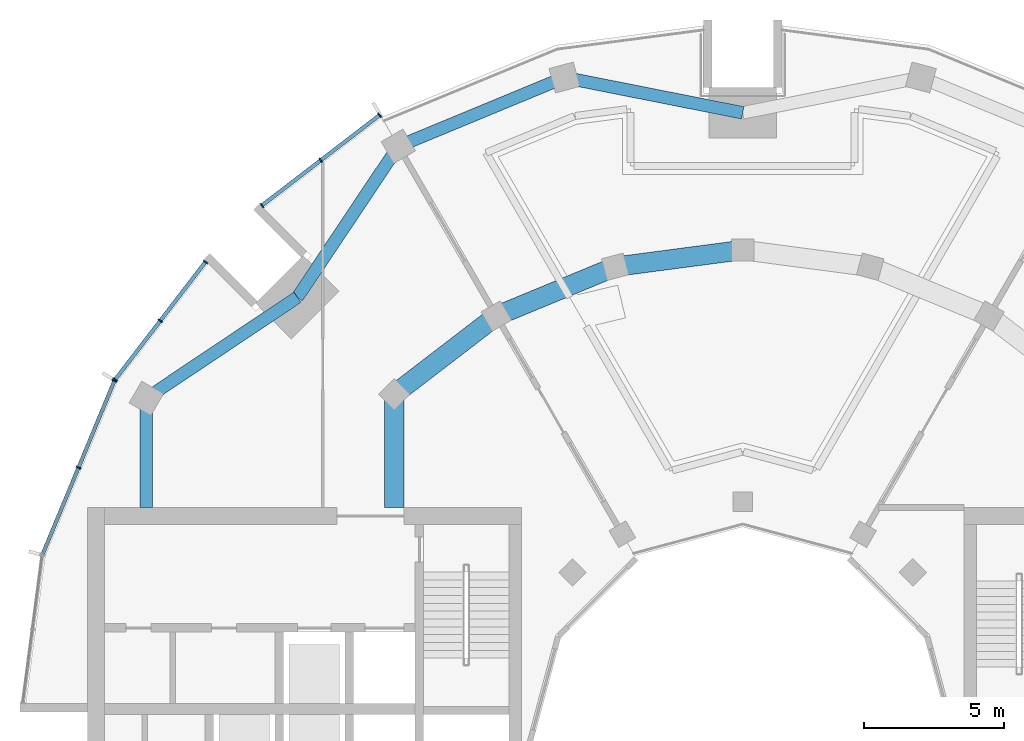
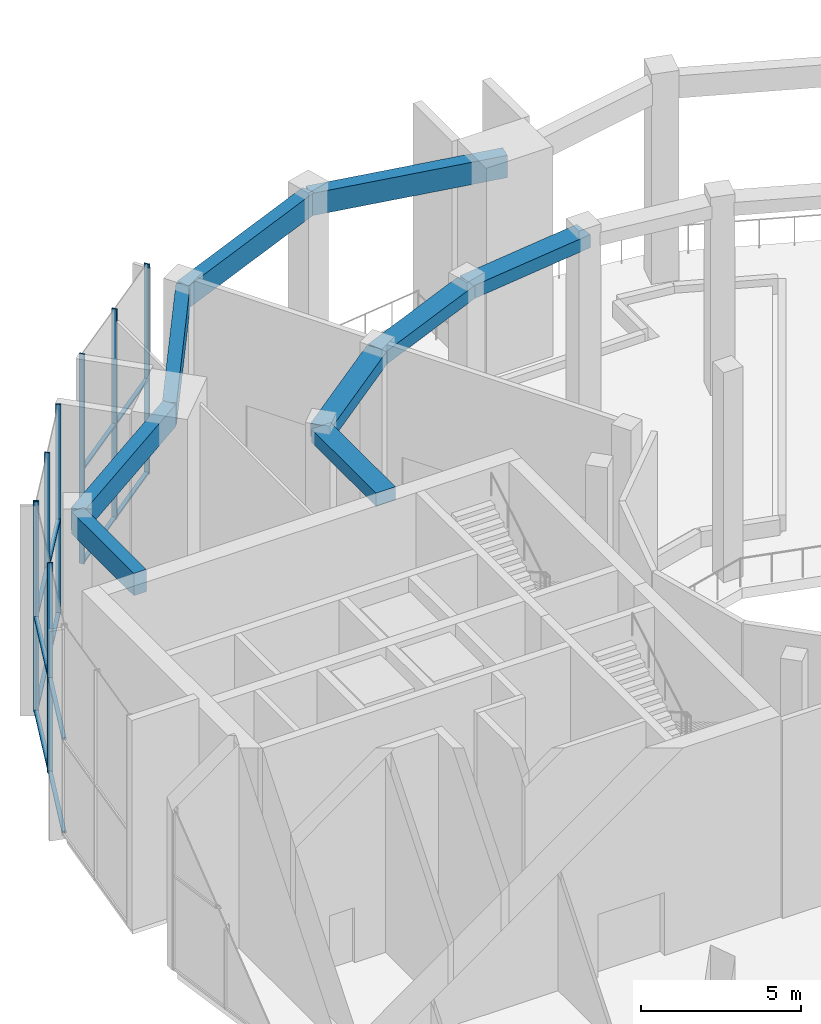
# One storey, part 7 of 18: 20 members, 9 beams, 3 elements without a shape of their own.
"""IFC4 building model written with IfcOpenShell, lengths in metres."""

from ifc_helpers import new_model, si_unit, direction, frame, origin, origin_2d, place, context, subcontext, project, spatial, rectangle, extrude, material, layer, layer_set, material_profile, profile_set, type_object, element, aggregate, save


model = new_model("IFC4")

# Units and contexts
model_context = context("Model", 3, precision=1e-05, world=origin(), true_north=direction((0.0, 1.0)))
body_context = subcontext(model_context, "Body", "Model", "MODEL_VIEW")
ifc_project = project(units=[si_unit("LENGTHUNIT", "METRE"), si_unit("AREAUNIT", "SQUARE_METRE"), si_unit("VOLUMEUNIT", "CUBIC_METRE"), si_unit("PLANEANGLEUNIT", "RADIAN"), si_unit("MASSUNIT", "GRAM", prefix="KILO")], contexts=[model_context])

# Site, building, storey
site_placement = place(None, origin())
site = spatial("IfcSite", under=ifc_project, at=site_placement, CompositionType="ELEMENT")
building_placement = place(site_placement, origin())
building = spatial("IfcBuilding", under=site, at=building_placement, Name="Torre Brocal", CompositionType="ELEMENT")
storey_placement = place(building_placement, frame((0.0, 0.0, 229.300048828125)))
storey = spatial("IfcBuildingStorey", under=building, at=storey_placement, Name="L53", CompositionType="ELEMENT", Elevation=229.300048828125)

# Curtain wall, members
ifc_material_1 = material(Name="Aluminium and glass", Category="aluminium")
ifc_layer = layer(ifc_material_1, 0.199951171875)
ifc_layer_set = layer_set([ifc_layer], Name="Aluminium and glass")
curtain_wall_type = type_object("IfcCurtainWallType", Name="CW-4 CURTAIN WALL 8000 HIGH", PredefinedType="NOTDEFINED", material=ifc_layer_set)
curtain_wall_1_placement = place(storey_placement, origin())
curtain_wall_1 = element("IfcCurtainWall", 1, at=curtain_wall_1_placement, inside=storey, type_object=curtain_wall_type, Name="CW-4 RUN 9", PredefinedType="NOTDEFINED")
ifc_material_2 = material(Name="Aluminium, dark anodised", Category="aluminium")
ifc_material_profile_1 = material_profile(ifc_material_2, rectangle(XDim=0.179931640625, YDim=0.050048828125, at=origin_2d()), Name="CW-4 MULLION 50X180")
ifc_profile_set_1 = profile_set([ifc_material_profile_1], Name="Aluminium, dark anodised")
member_type_1 = type_object("IfcMemberType", Name="CW-4 MULLION 50X180", PredefinedType="MULLION", material=ifc_profile_set_1)
member_1_placement = place(storey_placement, frame((67.030517578125, 97.4140625, 0.0), z_axis=(0.0, 0.0, 1.0), x_axis=(0.60876142905, -0.793353340259, 0.0)))
member_1 = element("IfcMember", 2, at=member_1_placement, type_object=member_type_1, Name="CW4-1 mullion 1", PredefinedType="MULLION", context=body_context, shape_type="SweptSolid", body=[
    extrude(rectangle(XDim=0.179931640625, YDim=0.050048828125, at=origin_2d()), origin(), (0.0, 0.0, 1.0), 8.0),
])
member_2_placement = place(storey_placement, frame((64.9287109375, 95.80126953125, 0.0), z_axis=(0.0, 0.0, 1.0), x_axis=(0.60876142905, -0.793353340259, 0.0)))
member_2 = element("IfcMember", 3, at=member_2_placement, type_object=member_type_1, Name="CW4-1 mullion 2", PredefinedType="MULLION", context=body_context, shape_type="SweptSolid", body=[
    extrude(rectangle(XDim=0.179931640625, YDim=0.050048828125, at=origin_2d()), origin(), (0.0, 0.0, 1.0), 8.0),
])
member_3_placement = place(storey_placement, frame((62.82666015625, 94.188232421875, 0.0), z_axis=(0.0, 0.0, 1.0), x_axis=(0.60876142905, -0.793353340259, 0.0)))
member_3 = element("IfcMember", 4, at=member_3_placement, type_object=member_type_1, Name="CW4-1 mullion 3", PredefinedType="MULLION", context=body_context, shape_type="SweptSolid", body=[
    extrude(rectangle(XDim=0.179931640625, YDim=0.050048828125, at=origin_2d()), origin(), (0.0, 0.0, 1.0), 8.0),
])

curtain_wall_2_placement = place(storey_placement, origin())
curtain_wall_2 = element("IfcCurtainWall", 5, at=curtain_wall_2_placement, inside=storey, type_object=curtain_wall_type, Name="CW-4 RUN 10", PredefinedType="NOTDEFINED")
member_4_placement = place(storey_placement, frame((60.811767578125, 92.17333984375, 0.0), z_axis=(0.0, 0.0, 1.0), x_axis=(0.793353340259, -0.60876142905, 0.0)))
member_4 = element("IfcMember", 6, at=member_4_placement, type_object=member_type_1, Name="CW4-1 mullion 1", PredefinedType="MULLION", context=body_context, shape_type="SweptSolid", body=[
    extrude(rectangle(XDim=0.179931640625, YDim=0.050048828125, at=origin_2d()), origin(), (0.0, 0.0, 1.0), 8.0),
])
member_5_placement = place(storey_placement, frame((59.19873046875, 90.0712890625, 0.0), z_axis=(0.0, 0.0, 1.0), x_axis=(0.793353340259, -0.60876142905, 0.0)))
member_5 = element("IfcMember", 7, at=member_5_placement, type_object=member_type_1, Name="CW4-1 mullion 2", PredefinedType="MULLION", context=body_context, shape_type="SweptSolid", body=[
    extrude(rectangle(XDim=0.179931640625, YDim=0.050048828125, at=origin_2d()), origin(), (0.0, 0.0, 1.0), 8.0),
])
member_6_placement = place(storey_placement, frame((57.5859375, 87.969482421875, 0.0), z_axis=(0.0, 0.0, 1.0), x_axis=(0.793353340259, -0.60876142905, 0.0)))
member_6 = element("IfcMember", 8, at=member_6_placement, type_object=member_type_1, Name="CW4-1 mullion 3", PredefinedType="MULLION", context=body_context, shape_type="SweptSolid", body=[
    extrude(rectangle(XDim=0.179931640625, YDim=0.050048828125, at=origin_2d()), origin(), (0.0, 0.0, 1.0), 8.0),
])

curtain_wall_3_placement = place(storey_placement, origin())
curtain_wall_3 = element("IfcCurtainWall", 9, at=curtain_wall_3_placement, inside=storey, type_object=curtain_wall_type, Name="CW-4 RUN 11", PredefinedType="NOTDEFINED")
member_7_placement = place(storey_placement, frame((57.56103515625, 87.926513671875, 0.0), z_axis=(0.0, 0.0, 1.0), x_axis=(0.923879532525, -0.382683432333, 0.0)))
member_7 = element("IfcMember", 10, at=member_7_placement, type_object=member_type_1, Name="CW4-1 mullion 1", PredefinedType="MULLION", context=body_context, shape_type="SweptSolid", body=[
    extrude(rectangle(XDim=0.179931640625, YDim=0.050048828125, at=origin_2d()), origin(), (0.0, 0.0, 1.0), 8.0),
])
member_8_placement = place(storey_placement, frame((56.277099609375, 84.826416015625, 0.0), z_axis=(0.0, 0.0, 1.0), x_axis=(0.923879532525, -0.382683432333, 0.0)))
member_8 = element("IfcMember", 11, at=member_8_placement, type_object=member_type_1, Name="CW4-1 mullion 2", PredefinedType="MULLION", context=body_context, shape_type="SweptSolid", body=[
    extrude(rectangle(XDim=0.179931640625, YDim=0.050048828125, at=origin_2d()), origin(), (0.0, 0.0, 1.0), 8.0),
])

# Member
ifc_material_3 = material(Name="Aluminium, dark anodised", Category="aluminium")
ifc_material_profile_2 = material_profile(ifc_material_3, rectangle(XDim=0.139892578125, YDim=0.070068359375, at=origin_2d()), Name="CW-4 TRANSOM 140X70")
ifc_profile_set_2 = profile_set([ifc_material_profile_2], Name="Aluminium, dark anodised")
member_type_2 = type_object("IfcMemberType", Name="CW-4 TRANSOM 140X70", PredefinedType="USERDEFINED", material=ifc_profile_set_2)
member_9_placement = place(storey_placement, frame((67.0107421875, 97.39892578125, 0.034912109375), z_axis=(-0.793335698171, -0.608784419977, 0.0), x_axis=(0.608784419977, -0.793335698171, 0.0)))
member_9 = element("IfcMember", 12, at=member_9_placement, type_object=member_type_2, Name="CW4-1 transom 1.1", ObjectType="TRANSOM", PredefinedType="USERDEFINED", context=body_context, shape_type="SweptSolid", body=[
    extrude(rectangle(XDim=0.139892578125, YDim=0.070068359375, at=origin_2d()), origin(), (0.0, 0.0, 1.0), 2.599365234375),
])

member_10_placement = place(storey_placement, frame((67.0107421875, 97.39892578125, 3.599853515625), z_axis=(-0.793335698171, -0.608784419977, 0.0), x_axis=(0.608784419977, -0.793335698171, 0.0)))
member_10 = element("IfcMember", 13, at=member_10_placement, type_object=member_type_2, Name="CW4-1 transom 1.2", ObjectType="TRANSOM", PredefinedType="USERDEFINED", context=body_context, shape_type="SweptSolid", body=[
    extrude(rectangle(XDim=0.139892578125, YDim=0.070068359375, at=origin_2d()), origin(), (0.0, 0.0, 1.0), 2.599365234375),
])

member_11_placement = place(storey_placement, frame((64.90869140625, 95.785888671875, 0.034912109375), z_axis=(-0.79338105877, -0.608725303881, 0.0), x_axis=(0.608725303881, -0.79338105877, 0.0)))
member_11 = element("IfcMember", 14, at=member_11_placement, type_object=member_type_2, Name="CW4-1 transom 2.1", ObjectType="TRANSOM", PredefinedType="USERDEFINED", context=body_context, shape_type="SweptSolid", body=[
    extrude(rectangle(XDim=0.139892578125, YDim=0.070068359375, at=origin_2d()), origin(), (0.0, 0.0, 1.0), 2.599365234375),
])

member_12_placement = place(storey_placement, frame((64.90869140625, 95.785888671875, 3.599853515625), z_axis=(-0.79338105877, -0.608725303881, 0.0), x_axis=(0.608725303881, -0.79338105877, 0.0)))
member_12 = element("IfcMember", 15, at=member_12_placement, type_object=member_type_2, Name="CW4-1 transom 2.2", ObjectType="TRANSOM", PredefinedType="USERDEFINED", context=body_context, shape_type="SweptSolid", body=[
    extrude(rectangle(XDim=0.139892578125, YDim=0.070068359375, at=origin_2d()), origin(), (0.0, 0.0, 1.0), 2.599365234375),
])

aggregate(curtain_wall_1, [member_1, member_2, member_3, member_9, member_10, member_11, member_12])

member_13_placement = place(storey_placement, frame((60.79638671875, 92.153564453125, 0.034912109375), z_axis=(-0.608725303881, -0.79338105877, 0.0), x_axis=(0.79338105877, -0.608725303881, 0.0)))
member_13 = element("IfcMember", 16, at=member_13_placement, type_object=member_type_2, Name="CW4-1 transom 1.1", ObjectType="TRANSOM", PredefinedType="USERDEFINED", context=body_context, shape_type="SweptSolid", body=[
    extrude(rectangle(XDim=0.139892578125, YDim=0.070068359375, at=origin_2d()), origin(), (0.0, 0.0, 1.0), 2.599365234375),
])

member_14_placement = place(storey_placement, frame((60.79638671875, 92.153564453125, 3.599853515625), z_axis=(-0.608725303881, -0.79338105877, 0.0), x_axis=(0.79338105877, -0.608725303881, 0.0)))
member_14 = element("IfcMember", 17, at=member_14_placement, type_object=member_type_2, Name="CW4-1 transom 1.2", ObjectType="TRANSOM", PredefinedType="USERDEFINED", context=body_context, shape_type="SweptSolid", body=[
    extrude(rectangle(XDim=0.139892578125, YDim=0.070068359375, at=origin_2d()), origin(), (0.0, 0.0, 1.0), 2.599365234375),
])

member_15_placement = place(storey_placement, frame((59.18359375, 90.051513671875, 0.034912109375), z_axis=(-0.608784419977, -0.793335698171, 0.0), x_axis=(0.793335698171, -0.608784419977, 0.0)))
member_15 = element("IfcMember", 18, at=member_15_placement, type_object=member_type_2, Name="CW4-1 transom 2.1", ObjectType="TRANSOM", PredefinedType="USERDEFINED", context=body_context, shape_type="SweptSolid", body=[
    extrude(rectangle(XDim=0.139892578125, YDim=0.070068359375, at=origin_2d()), origin(), (0.0, 0.0, 1.0), 2.599365234375),
])

member_16_placement = place(storey_placement, frame((59.18359375, 90.051513671875, 3.599853515625), z_axis=(-0.608784419977, -0.793335698171, 0.0), x_axis=(0.793335698171, -0.608784419977, 0.0)))
member_16 = element("IfcMember", 19, at=member_16_placement, type_object=member_type_2, Name="CW4-1 transom 2.2", ObjectType="TRANSOM", PredefinedType="USERDEFINED", context=body_context, shape_type="SweptSolid", body=[
    extrude(rectangle(XDim=0.139892578125, YDim=0.070068359375, at=origin_2d()), origin(), (0.0, 0.0, 1.0), 2.599365234375),
])

aggregate(curtain_wall_2, [member_4, member_5, member_6, member_13, member_14, member_15, member_16])

member_17_placement = place(storey_placement, frame((57.551513671875, 87.9033203125, 0.034912109375), z_axis=(-0.382658376168, -0.92388991073, 0.0), x_axis=(0.92388991073, -0.382658376168, 0.0)))
member_17 = element("IfcMember", 20, at=member_17_placement, type_object=member_type_2, Name="CW4-1 transom 1.1", ObjectType="TRANSOM", PredefinedType="USERDEFINED", context=body_context, shape_type="SweptSolid", body=[
    extrude(rectangle(XDim=0.139892578125, YDim=0.070068359375, at=origin_2d()), origin(), (0.0, 0.0, 1.0), 3.305419921875),
])

member_18_placement = place(storey_placement, frame((57.551513671875, 87.9033203125, 3.599853515625), z_axis=(-0.382658376168, -0.92388991073, 0.0), x_axis=(0.92388991073, -0.382658376168, 0.0)))
member_18 = element("IfcMember", 21, at=member_18_placement, type_object=member_type_2, Name="CW4-1 transom 1.2", ObjectType="TRANSOM", PredefinedType="USERDEFINED", context=body_context, shape_type="SweptSolid", body=[
    extrude(rectangle(XDim=0.139892578125, YDim=0.070068359375, at=origin_2d()), origin(), (0.0, 0.0, 1.0), 3.305419921875),
])

member_19_placement = place(storey_placement, frame((56.267333984375, 84.80322265625, 0.034912109375), z_axis=(-0.382658376168, -0.92388991073, 0.0), x_axis=(0.92388991073, -0.382658376168, 0.0)))
member_19 = element("IfcMember", 22, at=member_19_placement, type_object=member_type_2, Name="CW4-1 transom 2.1", ObjectType="TRANSOM", PredefinedType="USERDEFINED", context=body_context, shape_type="SweptSolid", body=[
    extrude(rectangle(XDim=0.139892578125, YDim=0.070068359375, at=origin_2d()), origin(), (0.0, 0.0, 1.0), 3.305419921875),
])

member_20_placement = place(storey_placement, frame((56.267333984375, 84.80322265625, 3.599853515625), z_axis=(-0.382658376168, -0.92388991073, 0.0), x_axis=(0.92388991073, -0.382658376168, 0.0)))
member_20 = element("IfcMember", 23, at=member_20_placement, type_object=member_type_2, Name="CW4-1 transom 2.2", ObjectType="TRANSOM", PredefinedType="USERDEFINED", context=body_context, shape_type="SweptSolid", body=[
    extrude(rectangle(XDim=0.139892578125, YDim=0.070068359375, at=origin_2d()), origin(), (0.0, 0.0, 1.0), 3.305419921875),
])

aggregate(curtain_wall_3, [member_7, member_8, member_17, member_18, member_19, member_20])

# Beams
ifc_material_4 = material(Name="Concrete C50", Category="concrete")
ifc_material_profile_3 = material_profile(ifc_material_4, rectangle(XDim=0.699951171875, YDim=0.5, at=origin_2d()), Name="RC 700X500")
ifc_profile_set_3 = profile_set([ifc_material_profile_3], Name="Concrete C50")
beam_type_1 = type_object("IfcBeamType", Name="RC BEAM 700X500 C50 TOP 7680", PredefinedType="BEAM", material=ifc_profile_set_3)
beam_1_placement = place(storey_placement, frame((80.0, 92.60009765625, 7.429931640625), z_axis=(-0.991440544449, -0.130558978332, 0.0), x_axis=(0.130558978332, -0.991440544449, 0.0)))
element("IfcBeam", 24, at=beam_1_placement, inside=storey, type_object=beam_type_1, Name="Beam BT-41", PredefinedType="BEAM", context=body_context, shape_type="SweptSolid", body=[
    extrude(rectangle(XDim=0.699951171875, YDim=0.5, at=origin_2d()), origin(), (0.0, 0.0, 1.0), 4.594482421875),
])
beam_2_placement = place(storey_placement, frame((75.44482421875, 92.000244140625, 7.429931640625), z_axis=(-0.923878240166, -0.382686552348, 0.0), x_axis=(0.382686552348, -0.923878240166, 0.0)))
element("IfcBeam", 25, at=beam_2_placement, inside=storey, type_object=beam_type_1, Name="Beam BT-41", PredefinedType="BEAM", context=body_context, shape_type="SweptSolid", body=[
    extrude(rectangle(XDim=0.699951171875, YDim=0.5, at=origin_2d()), origin(), (0.0, 0.0, 1.0), 4.5947265625),
])
beam_3_placement = place(storey_placement, frame((71.199951171875, 90.241943359375, 7.429931640625), z_axis=(-0.793358265959, -0.6087550097, 0.0), x_axis=(0.6087550097, -0.793358265959, 0.0)))
element("IfcBeam", 26, at=beam_3_placement, inside=storey, type_object=beam_type_1, Name="Beam BT-41", PredefinedType="BEAM", context=body_context, shape_type="SweptSolid", body=[
    extrude(rectangle(XDim=0.699951171875, YDim=0.5, at=origin_2d()), origin(), (0.0, 0.0, 1.0), 4.594482421875),
])
beam_4_placement = place(storey_placement, frame((67.554931640625, 87.445068359375, 7.429931640625), z_axis=(0.0, -1.0, 0.0), x_axis=(1.0, 0.0, 0.0)))
element("IfcBeam", 27, at=beam_4_placement, inside=storey, type_object=beam_type_1, Name="Beam BT-41", PredefinedType="BEAM", context=body_context, shape_type="SweptSolid", body=[
    extrude(rectangle(XDim=0.699951171875, YDim=0.5, at=origin_2d()), origin(), (0.0, 0.0, 1.0), 4.045166015625),
])
ifc_material_5 = material(Name="Concrete C50", Category="concrete")
ifc_material_profile_4 = material_profile(ifc_material_5, rectangle(XDim=0.449951171875, YDim=0.85009765625, at=origin_2d()), Name="RC 450X850")
ifc_profile_set_4 = profile_set([ifc_material_profile_4], Name="Concrete C50")
beam_type_2 = type_object("IfcBeamType", Name="RC SPANDREL BEAM 450X850 C50 TOP 7680", PredefinedType="SPANDREL", material=ifc_profile_set_4)
beam_5_placement = place(storey_placement, frame((80.0, 97.5, 7.2548828125), z_axis=(-0.980924907484, 0.194387051723, 0.0), x_axis=(-0.194387051723, -0.980924907484, 0.0)))
element("IfcBeam", 28, at=beam_5_placement, inside=storey, type_object=beam_type_2, Name="Beam BT-42", PredefinedType="SPANDREL", context=body_context, shape_type="SweptSolid", body=[
    extrude(rectangle(XDim=0.449951171875, YDim=0.85009765625, at=origin_2d()), origin(), (0.0, 0.0, 1.0), 6.49072265625),
])
beam_6_placement = place(storey_placement, frame((73.633056640625, 98.76171875, 7.2548828125), z_axis=(-0.923882462513, -0.382676358639, 0.0), x_axis=(0.382676358639, -0.923882462513, 0.0)))
element("IfcBeam", 29, at=beam_6_placement, inside=storey, type_object=beam_type_2, Name="Beam BT-42", PredefinedType="SPANDREL", context=body_context, shape_type="SweptSolid", body=[
    extrude(rectangle(XDim=0.449951171875, YDim=0.85009765625, at=origin_2d()), origin(), (0.0, 0.0, 1.0), 6.421875),
])
for number, where, z_axis, x_axis, name in (
    (30, (67.699951171875, 96.30419921875, 7.2548828125), (-0.556157602282, -0.831076844476, 0.0), (0.831076844476, -0.556157602282, 0.0), "Beam BT-42"),
    (31, (64.090087890625, 90.909912109375, 7.2548828125), (-0.831076844476, -0.556157602282, 0.0), (0.556157602282, -0.831076844476, 0.0), "Beam BT-42"),
):
    element("IfcBeam", number, at=place(storey_placement, frame(where, z_axis=z_axis, x_axis=x_axis)), inside=storey, type_object=beam_type_2, Name=name, PredefinedType="SPANDREL", context=body_context, shape_type="SweptSolid", body=[
        extrude(rectangle(XDim=0.449951171875, YDim=0.85009765625, at=origin_2d()), origin(), (0.0, 0.0, 1.0), 6.49072265625),
    ])
beam_7_placement = place(storey_placement, frame((58.69580078125, 87.300048828125, 7.2548828125), z_axis=(0.0, -1.0, 0.0), x_axis=(1.0, 0.0, 0.0)))
element("IfcBeam", 32, at=beam_7_placement, inside=storey, type_object=beam_type_2, Name="Beam BT-42", PredefinedType="SPANDREL", context=body_context, shape_type="SweptSolid", body=[
    extrude(rectangle(XDim=0.449951171875, YDim=0.85009765625, at=origin_2d()), origin(), (0.0, 0.0, 1.0), 3.900146484375),
])

save(model, "model.ifc")
